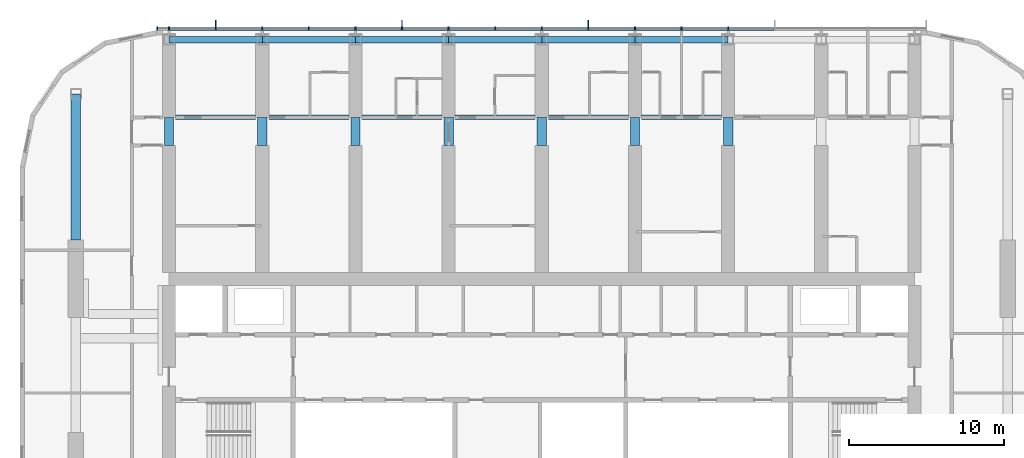
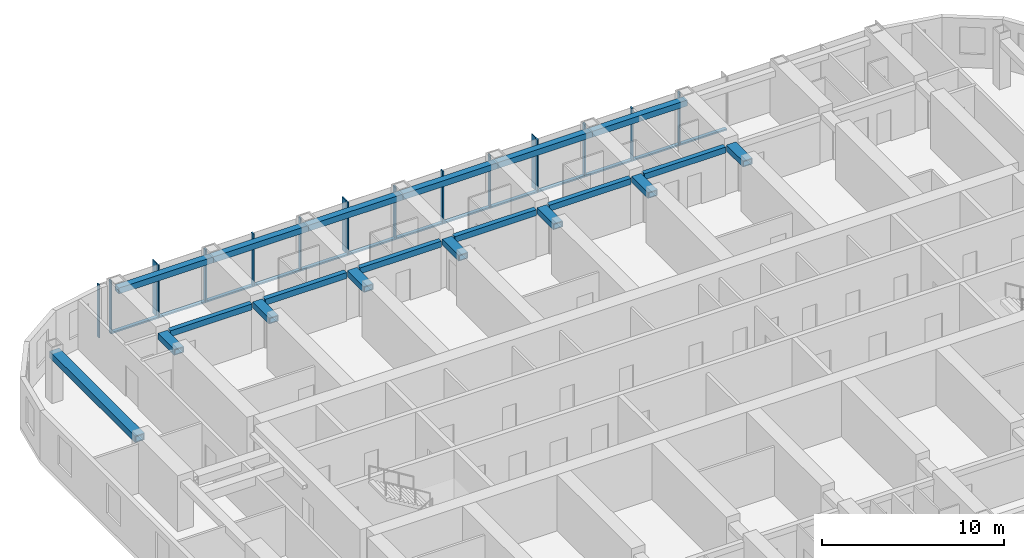
# One storey, part 4 of 23: 30 members, 20 beams, 1 element without a shape of its own.
"""IFC4 building model written with IfcOpenShell, lengths in metres."""

from ifc_helpers import new_model, si_unit, direction, frame, origin, origin_2d, place, context, subcontext, project, spatial, rectangle, hollow_rectangle, extrude, material, material_profile, profile_set, type_object, element, aggregate, save


model = new_model("IFC4")

# Units and contexts
model_context = context("Model", 3, precision=1e-05, world=origin(), true_north=direction((0.0, 1.0)))
body_context = subcontext(model_context, "Body", "Model", "MODEL_VIEW")
ifc_project = project(units=[si_unit("LENGTHUNIT", "METRE"), si_unit("AREAUNIT", "SQUARE_METRE"), si_unit("VOLUMEUNIT", "CUBIC_METRE"), si_unit("PLANEANGLEUNIT", "RADIAN"), si_unit("MASSUNIT", "GRAM", prefix="KILO")], contexts=[model_context])

# Site, building, storey
site_placement = place(None, origin())
site = spatial("IfcSite", under=ifc_project, at=site_placement, CompositionType="ELEMENT")
building_placement = place(site_placement, origin())
building = spatial("IfcBuilding", under=site, at=building_placement, Name="Orbita Commons", CompositionType="ELEMENT")
storey_placement = place(building_placement, frame((0.0, 0.0, 174.85009765625)))
storey = spatial("IfcBuildingStorey", under=building, at=storey_placement, Name="L43", CompositionType="ELEMENT", Elevation=174.85009765625)

# Curtain wall, members
ifc_material_1 = material(Name="Anodised aluminium frame, pale silver", Category="aluminium")
curtain_wall_type = type_object("IfcCurtainWallType", Name="Unitised curtain wall CW-U, full-height vision", PredefinedType="NOTDEFINED", material=ifc_material_1)
curtain_wall_placement = place(storey_placement, origin())
curtain_wall = element("IfcCurtainWall", 1, at=curtain_wall_placement, inside=storey, type_object=curtain_wall_type, Name="Curtain wall north L43", PredefinedType="NOTDEFINED")
ifc_material_2 = material(Name="Anodised aluminium, pale silver", Category="aluminium")
ifc_material_profile_1 = material_profile(ifc_material_2, rectangle(XDim=0.080078125, YDim=0.219970703125, at=origin_2d()), Name="AL 80x220")
ifc_profile_set_1 = profile_set([ifc_material_profile_1], Name="Anodised aluminium, pale silver")
member_type_1 = type_object("IfcMemberType", Name="Curtain wall mullion 80x220", PredefinedType="MULLION", material=ifc_profile_set_1)
member_1_placement = place(storey_placement, frame((54.0, 54.31005859375, -0.25), z_axis=(0.0, 0.0, 1.0), x_axis=(-1.0, 0.0, 0.0)))
member_1 = element("IfcMember", 2, at=member_1_placement, type_object=member_type_1, Name="Mullion 6 CW-L43-N", PredefinedType="MULLION", context=body_context, shape_type="SweptSolid", body=[
    extrude(rectangle(XDim=0.080078125, YDim=0.219970703125, at=origin_2d()), origin(), (0.0, 0.0, 1.0), 3.5498046875),
])
member_2_placement = place(storey_placement, frame((51.0, 54.31005859375, -0.25), z_axis=(0.0, 0.0, 1.0), x_axis=(-1.0, 0.0, 0.0)))
member_2 = element("IfcMember", 3, at=member_2_placement, type_object=member_type_1, Name="Mullion 7 CW-L43-N", PredefinedType="MULLION", context=body_context, shape_type="SweptSolid", body=[
    extrude(rectangle(XDim=0.080078125, YDim=0.219970703125, at=origin_2d()), origin(), (0.0, 0.0, 1.0), 3.5498046875),
])
member_3_placement = place(storey_placement, frame((48.0, 54.31005859375, -0.25), z_axis=(0.0, 0.0, 1.0), x_axis=(-1.0, 0.0, 0.0)))
member_3 = element("IfcMember", 4, at=member_3_placement, type_object=member_type_1, Name="Mullion 8 CW-L43-N", PredefinedType="MULLION", context=body_context, shape_type="SweptSolid", body=[
    extrude(rectangle(XDim=0.080078125, YDim=0.219970703125, at=origin_2d()), origin(), (0.0, 0.0, 1.0), 3.5498046875),
])
member_4_placement = place(storey_placement, frame((45.0, 54.31005859375, -0.25), z_axis=(0.0, 0.0, 1.0), x_axis=(-1.0, 0.0, 0.0)))
member_4 = element("IfcMember", 5, at=member_4_placement, type_object=member_type_1, Name="Mullion 9 CW-L43-N", PredefinedType="MULLION", context=body_context, shape_type="SweptSolid", body=[
    extrude(rectangle(XDim=0.080078125, YDim=0.219970703125, at=origin_2d()), origin(), (0.0, 0.0, 1.0), 3.5498046875),
])
member_5_placement = place(storey_placement, frame((42.0, 54.31005859375, -0.25), z_axis=(0.0, 0.0, 1.0), x_axis=(-1.0, 0.0, 0.0)))
member_5 = element("IfcMember", 6, at=member_5_placement, type_object=member_type_1, Name="Mullion 10 CW-L43-N", PredefinedType="MULLION", context=body_context, shape_type="SweptSolid", body=[
    extrude(rectangle(XDim=0.080078125, YDim=0.219970703125, at=origin_2d()), origin(), (0.0, 0.0, 1.0), 3.5498046875),
])
member_6_placement = place(storey_placement, frame((39.0, 54.31005859375, -0.25), z_axis=(0.0, 0.0, 1.0), x_axis=(-1.0, 0.0, 0.0)))
member_6 = element("IfcMember", 7, at=member_6_placement, type_object=member_type_1, Name="Mullion 11 CW-L43-N", PredefinedType="MULLION", context=body_context, shape_type="SweptSolid", body=[
    extrude(rectangle(XDim=0.080078125, YDim=0.219970703125, at=origin_2d()), origin(), (0.0, 0.0, 1.0), 3.5498046875),
])
member_7_placement = place(storey_placement, frame((36.0, 54.31005859375, -0.25), z_axis=(0.0, 0.0, 1.0), x_axis=(-1.0, 0.0, 0.0)))
member_7 = element("IfcMember", 8, at=member_7_placement, type_object=member_type_1, Name="Mullion 12 CW-L43-N", PredefinedType="MULLION", context=body_context, shape_type="SweptSolid", body=[
    extrude(rectangle(XDim=0.080078125, YDim=0.219970703125, at=origin_2d()), origin(), (0.0, 0.0, 1.0), 3.5498046875),
])
member_8_placement = place(storey_placement, frame((33.0, 54.31005859375, -0.25), z_axis=(0.0, 0.0, 1.0), x_axis=(-1.0, 0.0, 0.0)))
member_8 = element("IfcMember", 9, at=member_8_placement, type_object=member_type_1, Name="Mullion 13 CW-L43-N", PredefinedType="MULLION", context=body_context, shape_type="SweptSolid", body=[
    extrude(rectangle(XDim=0.080078125, YDim=0.219970703125, at=origin_2d()), origin(), (0.0, 0.0, 1.0), 3.5498046875),
])
member_9_placement = place(storey_placement, frame((30.0, 54.31005859375, -0.25), z_axis=(0.0, 0.0, 1.0), x_axis=(-1.0, 0.0, 0.0)))
member_9 = element("IfcMember", 10, at=member_9_placement, type_object=member_type_1, Name="Mullion 14 CW-L43-N", PredefinedType="MULLION", context=body_context, shape_type="SweptSolid", body=[
    extrude(rectangle(XDim=0.080078125, YDim=0.219970703125, at=origin_2d()), origin(), (0.0, 0.0, 1.0), 3.5498046875),
])
member_10_placement = place(storey_placement, frame((27.0, 54.31005859375, -0.25), z_axis=(0.0, 0.0, 1.0), x_axis=(-1.0, 0.0, 0.0)))
member_10 = element("IfcMember", 11, at=member_10_placement, type_object=member_type_1, Name="Mullion 15 CW-L43-N", PredefinedType="MULLION", context=body_context, shape_type="SweptSolid", body=[
    extrude(rectangle(XDim=0.080078125, YDim=0.219970703125, at=origin_2d()), origin(), (0.0, 0.0, 1.0), 3.5498046875),
])
member_11_placement = place(storey_placement, frame((24.0, 54.31005859375, -0.25), z_axis=(0.0, 0.0, 1.0), x_axis=(-1.0, 0.0, 0.0)))
member_11 = element("IfcMember", 12, at=member_11_placement, type_object=member_type_1, Name="Mullion 16 CW-L43-N", PredefinedType="MULLION", context=body_context, shape_type="SweptSolid", body=[
    extrude(rectangle(XDim=0.080078125, YDim=0.219970703125, at=origin_2d()), origin(), (0.0, 0.0, 1.0), 3.5498046875),
])
member_12_placement = place(storey_placement, frame((21.0, 54.31005859375, -0.25), z_axis=(0.0, 0.0, 1.0), x_axis=(-1.0, 0.0, 0.0)))
member_12 = element("IfcMember", 13, at=member_12_placement, type_object=member_type_1, Name="Mullion 17 CW-L43-N", PredefinedType="MULLION", context=body_context, shape_type="SweptSolid", body=[
    extrude(rectangle(XDim=0.080078125, YDim=0.219970703125, at=origin_2d()), origin(), (0.0, 0.0, 1.0), 3.5498046875),
])
member_13_placement = place(storey_placement, frame((18.0, 54.31005859375, -0.25), z_axis=(0.0, 0.0, 1.0), x_axis=(-1.0, 0.0, 0.0)))
member_13 = element("IfcMember", 14, at=member_13_placement, type_object=member_type_1, Name="Mullion 18 CW-L43-N", PredefinedType="MULLION", context=body_context, shape_type="SweptSolid", body=[
    extrude(rectangle(XDim=0.080078125, YDim=0.219970703125, at=origin_2d()), origin(), (0.0, 0.0, 1.0), 3.5498046875),
])
member_14_placement = place(storey_placement, frame((17.239990234375, 54.31005859375, -0.25), z_axis=(0.0, 0.0, 1.0), x_axis=(-1.0, 0.0, 0.0)))
member_14 = element("IfcMember", 15, at=member_14_placement, type_object=member_type_1, Name="Mullion 19 CW-L43-N", PredefinedType="MULLION", context=body_context, shape_type="SweptSolid", body=[
    extrude(rectangle(XDim=0.080078125, YDim=0.219970703125, at=origin_2d()), origin(), (0.0, 0.0, 1.0), 3.5498046875),
])
ifc_material_3 = material(Name="Anodised aluminium, pale silver", Category="aluminium")
ifc_material_profile_2 = material_profile(ifc_material_3, rectangle(XDim=0.219970703125, YDim=0.10009765625, at=origin_2d()), Name="AL 220x100")
ifc_profile_set_2 = profile_set([ifc_material_profile_2], Name="Anodised aluminium, pale silver")
member_type_2 = type_object("IfcMemberType", Name="Curtain wall stack transom 220x100", PredefinedType="USERDEFINED", material=ifc_profile_set_2)
member_15_placement = place(storey_placement, frame((56.9599609375, 54.31005859375, -0.2001953125), z_axis=(-1.0, 0.0, 0.0), x_axis=(0.0, -1.0, 0.0)))
member_15 = element("IfcMember", 16, at=member_15_placement, type_object=member_type_2, Name="Transom 5.1 CW-L43-N", ObjectType="TRANSOM", PredefinedType="USERDEFINED", context=body_context, shape_type="SweptSolid", body=[
    extrude(rectangle(XDim=0.219970703125, YDim=0.10009765625, at=origin_2d()), origin(), (0.0, 0.0, 1.0), 2.919921875),
])
member_16_placement = place(storey_placement, frame((53.9599609375, 54.31005859375, -0.2001953125), z_axis=(-1.0, 0.0, 0.0), x_axis=(0.0, -1.0, 0.0)))
member_16 = element("IfcMember", 17, at=member_16_placement, type_object=member_type_2, Name="Transom 6.1 CW-L43-N", ObjectType="TRANSOM", PredefinedType="USERDEFINED", context=body_context, shape_type="SweptSolid", body=[
    extrude(rectangle(XDim=0.219970703125, YDim=0.10009765625, at=origin_2d()), origin(), (0.0, 0.0, 1.0), 2.919921875),
])
member_17_placement = place(storey_placement, frame((50.9599609375, 54.31005859375, -0.2001953125), z_axis=(-1.0, 0.0, 0.0), x_axis=(0.0, -1.0, 0.0)))
member_17 = element("IfcMember", 18, at=member_17_placement, type_object=member_type_2, Name="Transom 7.1 CW-L43-N", ObjectType="TRANSOM", PredefinedType="USERDEFINED", context=body_context, shape_type="SweptSolid", body=[
    extrude(rectangle(XDim=0.219970703125, YDim=0.10009765625, at=origin_2d()), origin(), (0.0, 0.0, 1.0), 2.919921875),
])
member_18_placement = place(storey_placement, frame((47.9599609375, 54.31005859375, -0.2001953125), z_axis=(-1.0, 0.0, 0.0), x_axis=(0.0, -1.0, 0.0)))
member_18 = element("IfcMember", 19, at=member_18_placement, type_object=member_type_2, Name="Transom 8.1 CW-L43-N", ObjectType="TRANSOM", PredefinedType="USERDEFINED", context=body_context, shape_type="SweptSolid", body=[
    extrude(rectangle(XDim=0.219970703125, YDim=0.10009765625, at=origin_2d()), origin(), (0.0, 0.0, 1.0), 2.919921875),
])
member_19_placement = place(storey_placement, frame((44.9599609375, 54.31005859375, -0.2001953125), z_axis=(-1.0, 0.0, 0.0), x_axis=(0.0, -1.0, 0.0)))
member_19 = element("IfcMember", 20, at=member_19_placement, type_object=member_type_2, Name="Transom 9.1 CW-L43-N", ObjectType="TRANSOM", PredefinedType="USERDEFINED", context=body_context, shape_type="SweptSolid", body=[
    extrude(rectangle(XDim=0.219970703125, YDim=0.10009765625, at=origin_2d()), origin(), (0.0, 0.0, 1.0), 2.919921875),
])
member_20_placement = place(storey_placement, frame((41.9599609375, 54.31005859375, -0.2001953125), z_axis=(-1.0, 0.0, 0.0), x_axis=(0.0, -1.0, 0.0)))
member_20 = element("IfcMember", 21, at=member_20_placement, type_object=member_type_2, Name="Transom 10.1 CW-L43-N", ObjectType="TRANSOM", PredefinedType="USERDEFINED", context=body_context, shape_type="SweptSolid", body=[
    extrude(rectangle(XDim=0.219970703125, YDim=0.10009765625, at=origin_2d()), origin(), (0.0, 0.0, 1.0), 2.919921875),
])
member_21_placement = place(storey_placement, frame((38.9599609375, 54.31005859375, -0.2001953125), z_axis=(-1.0, 0.0, 0.0), x_axis=(0.0, -1.0, 0.0)))
member_21 = element("IfcMember", 22, at=member_21_placement, type_object=member_type_2, Name="Transom 11.1 CW-L43-N", ObjectType="TRANSOM", PredefinedType="USERDEFINED", context=body_context, shape_type="SweptSolid", body=[
    extrude(rectangle(XDim=0.219970703125, YDim=0.10009765625, at=origin_2d()), origin(), (0.0, 0.0, 1.0), 2.919921875),
])
member_22_placement = place(storey_placement, frame((35.9599609375, 54.31005859375, -0.2001953125), z_axis=(-1.0, 0.0, 0.0), x_axis=(0.0, -1.0, 0.0)))
member_22 = element("IfcMember", 23, at=member_22_placement, type_object=member_type_2, Name="Transom 12.1 CW-L43-N", ObjectType="TRANSOM", PredefinedType="USERDEFINED", context=body_context, shape_type="SweptSolid", body=[
    extrude(rectangle(XDim=0.219970703125, YDim=0.10009765625, at=origin_2d()), origin(), (0.0, 0.0, 1.0), 2.919921875),
])
member_23_placement = place(storey_placement, frame((32.9599609375, 54.31005859375, -0.2001953125), z_axis=(-1.0, 0.0, 0.0), x_axis=(0.0, -1.0, 0.0)))
member_23 = element("IfcMember", 24, at=member_23_placement, type_object=member_type_2, Name="Transom 13.1 CW-L43-N", ObjectType="TRANSOM", PredefinedType="USERDEFINED", context=body_context, shape_type="SweptSolid", body=[
    extrude(rectangle(XDim=0.219970703125, YDim=0.10009765625, at=origin_2d()), origin(), (0.0, 0.0, 1.0), 2.919921875),
])
member_24_placement = place(storey_placement, frame((29.9599609375, 54.31005859375, -0.2001953125), z_axis=(-1.0, 0.0, 0.0), x_axis=(0.0, -1.0, 0.0)))
member_24 = element("IfcMember", 25, at=member_24_placement, type_object=member_type_2, Name="Transom 14.1 CW-L43-N", ObjectType="TRANSOM", PredefinedType="USERDEFINED", context=body_context, shape_type="SweptSolid", body=[
    extrude(rectangle(XDim=0.219970703125, YDim=0.10009765625, at=origin_2d()), origin(), (0.0, 0.0, 1.0), 2.919921875),
])
member_25_placement = place(storey_placement, frame((26.9599609375, 54.31005859375, -0.2001953125), z_axis=(-1.0, 0.0, 0.0), x_axis=(0.0, -1.0, 0.0)))
member_25 = element("IfcMember", 26, at=member_25_placement, type_object=member_type_2, Name="Transom 15.1 CW-L43-N", ObjectType="TRANSOM", PredefinedType="USERDEFINED", context=body_context, shape_type="SweptSolid", body=[
    extrude(rectangle(XDim=0.219970703125, YDim=0.10009765625, at=origin_2d()), origin(), (0.0, 0.0, 1.0), 2.919921875),
])
member_26_placement = place(storey_placement, frame((23.9599609375, 54.31005859375, -0.2001953125), z_axis=(-1.0, 0.0, 0.0), x_axis=(0.0, -1.0, 0.0)))
member_26 = element("IfcMember", 27, at=member_26_placement, type_object=member_type_2, Name="Transom 16.1 CW-L43-N", ObjectType="TRANSOM", PredefinedType="USERDEFINED", context=body_context, shape_type="SweptSolid", body=[
    extrude(rectangle(XDim=0.219970703125, YDim=0.10009765625, at=origin_2d()), origin(), (0.0, 0.0, 1.0), 2.919921875),
])
member_27_placement = place(storey_placement, frame((20.9599609375, 54.31005859375, -0.2001953125), z_axis=(-1.0, 0.0, 0.0), x_axis=(0.0, -1.0, 0.0)))
member_27 = element("IfcMember", 28, at=member_27_placement, type_object=member_type_2, Name="Transom 17.1 CW-L43-N", ObjectType="TRANSOM", PredefinedType="USERDEFINED", context=body_context, shape_type="SweptSolid", body=[
    extrude(rectangle(XDim=0.219970703125, YDim=0.10009765625, at=origin_2d()), origin(), (0.0, 0.0, 1.0), 2.919921875),
])

# Beams
ifc_material_4 = material(Name="Steel ASTM A572 Gr 50 welded plate", Category="steel")
ifc_material_profile_3 = material_profile(ifc_material_4, hollow_rectangle(XDim=0.300048828125, YDim=0.39990234375, WallThickness=0.0400390625, at=origin_2d()), Name="BOX 400x300x40")
ifc_profile_set_3 = profile_set([ifc_material_profile_3], Name="Steel ASTM A572 Gr 50 welded plate")
beam_type_1 = type_object("IfcBeamType", Name="Steel corridor link BOX 400x300x40", PredefinedType="BEAM", material=ifc_profile_set_3)
for number, where, z_axis, x_axis, name in (
    (29, (18.425048828125, 48.60009765625, 3.099853515625), (1.0, 0.0, 0.0), (0.0, 1.0, 0.0), "Corridor beam NB 4-5 L43"),
    (30, (24.425048828125, 48.60009765625, 3.099853515625), (1.0, 0.0, 0.0), (0.0, 1.0, 0.0), "Corridor beam NB 5-6 L43"),
    (31, (30.425048828125, 48.60009765625, 3.099853515625), (1.0, 0.0, 0.0), (0.0, 1.0, 0.0), "Corridor beam NB 6-7 L43"),
    (32, (36.425048828125, 48.60009765625, 3.099853515625), (1.0, 0.0, 0.0), (0.0, 1.0, 0.0), "Corridor beam NB 7-8 L43"),
    (33, (42.425048828125, 48.60009765625, 3.099853515625), (1.0, 0.0, 0.0), (0.0, 1.0, 0.0), "Corridor beam NB 8-9 L43"),
    (34, (48.425048828125, 48.60009765625, 3.099853515625), (1.0, 0.0, 0.0), (0.0, 1.0, 0.0), "Corridor beam NB 9-10 L43"),
):
    element("IfcBeam", number, at=place(storey_placement, frame(where, z_axis=z_axis, x_axis=x_axis)), inside=storey, type_object=beam_type_1, Name=name, PredefinedType="BEAM", context=body_context, shape_type="SweptSolid", body=[
        extrude(hollow_rectangle(XDim=0.300048828125, YDim=0.39990234375, WallThickness=0.0400390625, at=origin_2d()), origin(), (0.0, 0.0, 1.0), 5.14990234375),
    ])
ifc_material_5 = material(Name="Steel ASTM A572 Gr 50 welded plate", Category="steel")
ifc_material_profile_4 = material_profile(ifc_material_5, hollow_rectangle(XDim=0.60009765625, YDim=0.39990234375, WallThickness=0.050048828125, at=origin_2d()), Name="BOX 400x600x50")
ifc_profile_set_4 = profile_set([ifc_material_profile_4], Name="Steel ASTM A572 Gr 50 welded plate")
beam_type_2 = type_object("IfcBeamType", Name="Steel coupling link BOX 400x600x50", PredefinedType="LINTEL", material=ifc_profile_set_4)
for number, where, z_axis, x_axis, name in (
    (35, (18.0, 46.800048828125, 3.099853515625), (0.0, 1.0, 0.0), (-1.0, 0.0, 0.0), "Coupling beam 4 north L43"),
    (36, (24.0, 46.800048828125, 3.099853515625), (0.0, 1.0, 0.0), (-1.0, 0.0, 0.0), "Coupling beam 5 north L43"),
    (37, (30.0, 46.800048828125, 3.099853515625), (0.0, 1.0, 0.0), (-1.0, 0.0, 0.0), "Coupling beam 6 north L43"),
    (38, (36.0, 46.800048828125, 3.099853515625), (0.0, 1.0, 0.0), (-1.0, 0.0, 0.0), "Coupling beam 7 north L43"),
    (39, (42.0, 46.800048828125, 3.099853515625), (0.0, 1.0, 0.0), (-1.0, 0.0, 0.0), "Coupling beam 8 north L43"),
    (40, (48.0, 46.800048828125, 3.099853515625), (0.0, 1.0, 0.0), (-1.0, 0.0, 0.0), "Coupling beam 9 north L43"),
    (41, (54.0, 46.800048828125, 3.099853515625), (0.0, 1.0, 0.0), (-1.0, 0.0, 0.0), "Coupling beam 10 north L43"),
):
    element("IfcBeam", number, at=place(storey_placement, frame(where, z_axis=z_axis, x_axis=x_axis)), inside=storey, type_object=beam_type_2, Name=name, PredefinedType="LINTEL", context=body_context, shape_type="SweptSolid", body=[
        extrude(hollow_rectangle(XDim=0.60009765625, YDim=0.39990234375, WallThickness=0.050048828125, at=origin_2d()), origin(), (0.0, 0.0, 1.0), 1.800048828125),
    ])
ifc_material_6 = material(Name="Steel ASTM A572 Gr 50 welded plate", Category="steel")
ifc_material_profile_5 = material_profile(ifc_material_6, hollow_rectangle(XDim=0.60009765625, YDim=0.449951171875, WallThickness=0.06005859375, at=origin_2d()), Name="BOX 450x600x60")
ifc_profile_set_5 = profile_set([ifc_material_profile_5], Name="Steel ASTM A572 Gr 50 welded plate")
beam_type_3 = type_object("IfcBeamType", Name="Steel end frame link BOX 450x600x60", PredefinedType="BEAM", material=ifc_profile_set_5)
beam_placement = place(storey_placement, frame((12.0, 40.699951171875, 3.074951171875), z_axis=(0.0, 1.0, 0.0), x_axis=(-1.0, 0.0, 0.0)))
element("IfcBeam", 42, at=beam_placement, inside=storey, type_object=beam_type_3, Name="End frame beam 3 D-E L43", PredefinedType="BEAM", context=body_context, shape_type="SweptSolid", body=[
    extrude(hollow_rectangle(XDim=0.60009765625, YDim=0.449951171875, WallThickness=0.06005859375, at=origin_2d()), origin(), (0.0, 0.0, 1.0), 9.400146484375),
])
ifc_material_7 = material(Name="Steel ASTM A572 Gr 50 welded plate", Category="steel")
ifc_material_profile_6 = material_profile(ifc_material_7, hollow_rectangle(XDim=0.39990234375, YDim=0.39990234375, WallThickness=0.0400390625, at=origin_2d()), Name="BOX 400x400x40")
ifc_profile_set_6 = profile_set([ifc_material_profile_6], Name="Steel ASTM A572 Gr 50 welded plate")
beam_type_4 = type_object("IfcBeamType", Name="Steel spandrel BOX 400x400x40", PredefinedType="SPANDREL", material=ifc_profile_set_6)
for number, where, z_axis, x_axis, name in (
    (43, (18.0, 53.60009765625, 3.099853515625), (1.0, 0.0, 0.0), (0.0, 1.0, 0.0), "Spandrel beam E 4-5 L43"),
    (44, (24.0, 53.60009765625, 3.099853515625), (1.0, 0.0, 0.0), (0.0, 1.0, 0.0), "Spandrel beam E 5-6 L43"),
    (45, (30.0, 53.60009765625, 3.099853515625), (1.0, 0.0, 0.0), (0.0, 1.0, 0.0), "Spandrel beam E 6-7 L43"),
    (46, (36.0, 53.60009765625, 3.099853515625), (1.0, 0.0, 0.0), (0.0, 1.0, 0.0), "Spandrel beam E 7-8 L43"),
    (47, (42.0, 53.60009765625, 3.099853515625), (1.0, 0.0, 0.0), (0.0, 1.0, 0.0), "Spandrel beam E 8-9 L43"),
    (48, (48.0, 53.60009765625, 3.099853515625), (1.0, 0.0, 0.0), (0.0, 1.0, 0.0), "Spandrel beam E 9-10 L43"),
):
    element("IfcBeam", number, at=place(storey_placement, frame(where, z_axis=z_axis, x_axis=x_axis)), inside=storey, type_object=beam_type_4, Name=name, PredefinedType="SPANDREL", context=body_context, shape_type="SweptSolid", body=[
        extrude(hollow_rectangle(XDim=0.39990234375, YDim=0.39990234375, WallThickness=0.0400390625, at=origin_2d()), origin(), (0.0, 0.0, 1.0), 6.0),
    ])

# Member
ifc_material_8 = material(Name="Anodised aluminium, pale silver", Category="aluminium")
ifc_material_profile_7 = material_profile(ifc_material_8, rectangle(XDim=0.06005859375, YDim=0.449951171875, at=origin_2d()), Name="FIN 60x450")
ifc_profile_set_7 = profile_set([ifc_material_profile_7], Name="Anodised aluminium, pale silver")
member_type_3 = type_object("IfcMemberType", Name="Vertical fin 60x450 pale aluminium", PredefinedType="USERDEFINED", material=ifc_profile_set_7)
member_28_placement = place(storey_placement, frame((45.0, 54.64501953125, -0.25), z_axis=(0.0, 0.0, 1.0), x_axis=(-1.0, 0.0, 0.0)))
member_28 = element("IfcMember", 49, at=member_28_placement, type_object=member_type_3, Name="Fin 9 CW-L43-N", ObjectType="FIN", PredefinedType="USERDEFINED", context=body_context, shape_type="SweptSolid", body=[
    extrude(rectangle(XDim=0.06005859375, YDim=0.449951171875, at=origin_2d()), origin(), (0.0, 0.0, 1.0), 3.5498046875),
])

member_29_placement = place(storey_placement, frame((33.0, 54.64501953125, -0.25), z_axis=(0.0, 0.0, 1.0), x_axis=(-1.0, 0.0, 0.0)))
member_29 = element("IfcMember", 50, at=member_29_placement, type_object=member_type_3, Name="Fin 13 CW-L43-N", ObjectType="FIN", PredefinedType="USERDEFINED", context=body_context, shape_type="SweptSolid", body=[
    extrude(rectangle(XDim=0.06005859375, YDim=0.449951171875, at=origin_2d()), origin(), (0.0, 0.0, 1.0), 3.5498046875),
])

member_30_placement = place(storey_placement, frame((21.0, 54.64501953125, -0.25), z_axis=(0.0, 0.0, 1.0), x_axis=(-1.0, 0.0, 0.0)))
member_30 = element("IfcMember", 51, at=member_30_placement, type_object=member_type_3, Name="Fin 17 CW-L43-N", ObjectType="FIN", PredefinedType="USERDEFINED", context=body_context, shape_type="SweptSolid", body=[
    extrude(rectangle(XDim=0.06005859375, YDim=0.449951171875, at=origin_2d()), origin(), (0.0, 0.0, 1.0), 3.5498046875),
])

aggregate(curtain_wall, [member_1, member_2, member_3, member_4, member_28, member_5, member_6, member_7, member_8, member_29, member_9, member_10, member_11, member_12, member_30, member_13, member_14, member_15, member_16, member_17, member_18, member_19, member_20, member_21, member_22, member_23, member_24, member_25, member_26, member_27])

save(model, "model.ifc")
